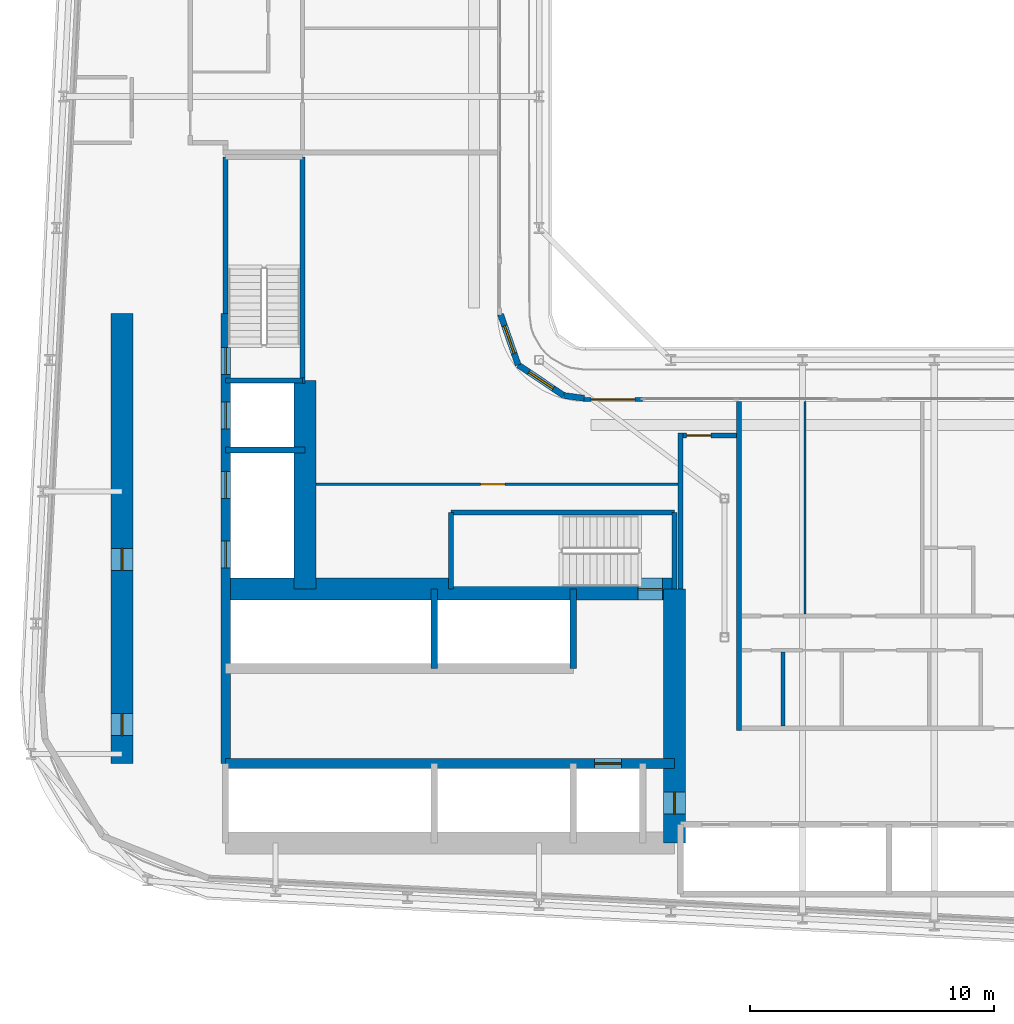
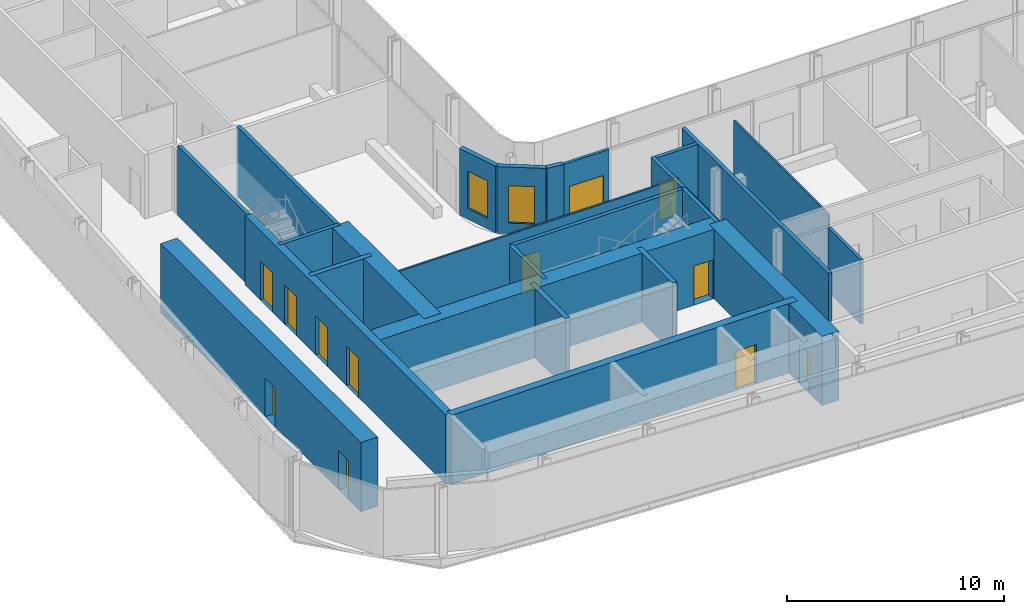
# One storey, part 12 of 26: 26 walls, 12 doors, 2 windows, 14 openings.
"""IFC4 building model written with IfcOpenShell, lengths in metres."""

from ifc_helpers import new_model, si_unit, direction, frame, frame_2d, origin, place, context, subcontext, project, spatial, rectangle, extrude, source, transform, mapped, material, layer, layer_set, type_object, element, fill, save


model = new_model("IFC4")

# Units and contexts
model_context = context("Model", 3, precision=1e-05, world=origin(), true_north=direction((0.0, 1.0)))
body_context = subcontext(model_context, "Body", "Model", "MODEL_VIEW")
ifc_project = project(units=[si_unit("LENGTHUNIT", "METRE"), si_unit("AREAUNIT", "SQUARE_METRE"), si_unit("VOLUMEUNIT", "CUBIC_METRE"), si_unit("PLANEANGLEUNIT", "RADIAN"), si_unit("MASSUNIT", "GRAM", prefix="KILO")], contexts=[model_context])

# Site, building, storey
site_placement = place(None, origin())
site = spatial("IfcSite", under=ifc_project, at=site_placement, CompositionType="ELEMENT")
building_placement = place(site_placement, origin())
building = spatial("IfcBuilding", under=site, at=building_placement, Name="Kheshtan School and Residences Tower", CompositionType="ELEMENT")
storey_placement = place(building_placement, frame((0.0, 0.0, 105.800048828125)))
storey = spatial("IfcBuildingStorey", under=building, at=storey_placement, Name="L24", CompositionType="ELEMENT", Elevation=105.800048828125)

# Wall, opening, door
ifc_material_1 = material(Name="Concrete C50/60", Category="concrete")
ifc_layer_1 = layer(ifc_material_1, 0.39990234375)
ifc_layer_set_1 = layer_set([ifc_layer_1], Name="Core wall 400 Concrete C50/60")
wall_type_1 = type_object("IfcWallType", Name="Core wall 400 Concrete C50/60", PredefinedType="SHEAR", material=ifc_layer_set_1)
wall_1_placement = place(storey_placement, frame((34.75, 29.050048828125, 0.0), z_axis=(0.0, 0.0, 1.0), x_axis=(1.0, 0.0, 0.0)))
wall_1 = element("IfcWall", 1, at=wall_1_placement, inside=storey, type_object=wall_type_1, Name="Core wall CW-HALL-S1", PredefinedType="SHEAR", context=body_context, shape_type="SweptSolid", body=[
    extrude(rectangle(XDim=18.39990234375, YDim=0.39990234375, at=frame_2d((9.199951171875, 0.0))), origin(), (0.0, 0.0, 1.0), 3.89990234375),
])
opening_1_placement = place(wall_1_placement, frame((15.125, 0.0, 0.0)))
opening_1 = element("IfcOpeningElement", 2, at=opening_1_placement, cuts=wall_1, Name="Opening LD", PredefinedType="OPENING", context=body_context, shape_type="SweptSolid", body=[
    extrude(rectangle(XDim=1.10009765625, YDim=2.199951171875, at=frame_2d((0.550048828125, 1.10009765625))), frame((0.0, 0.2099609375, 0.0), z_axis=(0.0, -1.0, 0.0), x_axis=(1.0, 0.0, 0.0)), (0.0, 0.0, 1.0), 0.419921875),
])
ifc_material_2 = material(Name="Stainless steel door leaves", Category="steel")
door_type_1 = type_object("IfcDoorType", Name="Lift landing door 1100", OperationType="SLIDING_TO_LEFT", PredefinedType="DOOR", material=ifc_material_2)
shared_shape_1 = source(origin(), body_context, "Body", "SweptSolid", [
    extrude(rectangle(XDim=1.10009765625, YDim=2.199951171875, at=frame_2d((0.550048828125, 1.10009765625))), frame((0.0, 0.02490234375, 0.0), z_axis=(0.0, -1.0, 0.0), x_axis=(1.0, 0.0, 0.0)), (0.0, 0.0, 1.0), 0.050048828125),
])
door_1_placement = place(opening_1_placement, origin())
door_1 = element("IfcDoor", 3, at=door_1_placement, inside=storey, type_object=door_type_1, Name="Lift FFL2 landing door", OperationType="SLIDING_TO_LEFT", OverallHeight=2.199951171875, OverallWidth=1.10009765625, PredefinedType="DOOR", context=body_context, shape_type="MappedRepresentation", body=[
    mapped(shared_shape_1, transform((0.0, 0.0, 0.0), x_axis=(1.0, 0.0, 0.0), y_axis=(0.0, 1.0, 0.0), z_axis=(0.0, 0.0, 1.0), scale=1.0)),
])
fill(opening_1, door_1)

# Wall, openings, doors
wall_2_placement = place(storey_placement, frame((34.75, 29.050048828125, 0.0), z_axis=(0.0, 0.0, 1.0), x_axis=(0.0, 1.0, 0.0)))
wall_2 = element("IfcWall", 4, at=wall_2_placement, inside=storey, type_object=wall_type_1, Name="Core wall CW-HALL-W1", PredefinedType="SHEAR", context=body_context, shape_type="SweptSolid", body=[
    extrude(rectangle(XDim=18.449951171875, YDim=0.39990234375, at=frame_2d((9.22509765625, 0.0))), origin(), (0.0, 0.0, 1.0), 3.89990234375),
])
opening_2_placement = place(wall_2_placement, frame((8.02490234375, 0.0, 0.0)))
opening_2 = element("IfcOpeningElement", 5, at=opening_2_placement, cuts=wall_2, Name="Opening LD", PredefinedType="OPENING", context=body_context, shape_type="SweptSolid", body=[
    extrude(rectangle(XDim=1.10009765625, YDim=2.199951171875, at=frame_2d((0.550048828125, 1.10009765625))), frame((0.0, 0.2099609375, 0.0), z_axis=(0.0, -1.0, 0.0), x_axis=(1.0, 0.0, 0.0)), (0.0, 0.0, 1.0), 0.419921875),
])
opening_3_placement = place(wall_2_placement, frame((10.875, 0.0, 0.0)))
opening_3 = element("IfcOpeningElement", 6, at=opening_3_placement, cuts=wall_2, Name="Opening LD", PredefinedType="OPENING", context=body_context, shape_type="SweptSolid", body=[
    extrude(rectangle(XDim=1.10009765625, YDim=2.199951171875, at=frame_2d((0.550048828125, 1.10009765625))), frame((0.0, 0.2099609375, 0.0), z_axis=(0.0, -1.0, 0.0), x_axis=(1.0, 0.0, 0.0)), (0.0, 0.0, 1.0), 0.419921875),
])
opening_4_placement = place(wall_2_placement, frame((13.72509765625, 0.0, 0.0)))
opening_4 = element("IfcOpeningElement", 7, at=opening_4_placement, cuts=wall_2, Name="Opening LD", PredefinedType="OPENING", context=body_context, shape_type="SweptSolid", body=[
    extrude(rectangle(XDim=1.10009765625, YDim=2.199951171875, at=frame_2d((0.550048828125, 1.10009765625))), frame((0.0, 0.2099609375, 0.0), z_axis=(0.0, -1.0, 0.0), x_axis=(1.0, 0.0, 0.0)), (0.0, 0.0, 1.0), 0.419921875),
])
opening_5_placement = place(wall_2_placement, frame((15.949951171875, 0.0, 0.0)))
opening_5 = element("IfcOpeningElement", 8, at=opening_5_placement, cuts=wall_2, Name="Opening ST2D", PredefinedType="OPENING", context=body_context, shape_type="SweptSolid", body=[
    extrude(rectangle(XDim=1.10009765625, YDim=2.199951171875, at=frame_2d((0.550048828125, 1.10009765625))), frame((0.0, 0.2099609375, 0.0), z_axis=(0.0, -1.0, 0.0), x_axis=(1.0, 0.0, 0.0)), (0.0, 0.0, 1.0), 0.419921875),
])
door_2_placement = place(opening_2_placement, origin())
door_2 = element("IfcDoor", 9, at=door_2_placement, inside=storey, type_object=door_type_1, Name="Lift SV1 landing door", OperationType="SLIDING_TO_LEFT", OverallHeight=2.199951171875, OverallWidth=1.10009765625, PredefinedType="DOOR", context=body_context, shape_type="MappedRepresentation", body=[
    mapped(shared_shape_1, transform((0.0, 0.0, 0.0), x_axis=(1.0, 0.0, 0.0), y_axis=(0.0, 1.0, 0.0), z_axis=(0.0, 0.0, 1.0), scale=1.0)),
])
fill(opening_2, door_2)
door_3_placement = place(opening_3_placement, origin())
door_3 = element("IfcDoor", 10, at=door_3_placement, inside=storey, type_object=door_type_1, Name="Lift SV2 landing door", OperationType="SLIDING_TO_LEFT", OverallHeight=2.199951171875, OverallWidth=1.10009765625, PredefinedType="DOOR", context=body_context, shape_type="MappedRepresentation", body=[
    mapped(shared_shape_1, transform((0.0, 0.0, 0.0), x_axis=(1.0, 0.0, 0.0), y_axis=(0.0, 1.0, 0.0), z_axis=(0.0, 0.0, 1.0), scale=1.0)),
])
fill(opening_3, door_3)
door_4_placement = place(opening_4_placement, origin())
door_4 = element("IfcDoor", 11, at=door_4_placement, inside=storey, type_object=door_type_1, Name="Lift FFL1 landing door", OperationType="SLIDING_TO_LEFT", OverallHeight=2.199951171875, OverallWidth=1.10009765625, PredefinedType="DOOR", context=body_context, shape_type="MappedRepresentation", body=[
    mapped(shared_shape_1, transform((0.0, 0.0, 0.0), x_axis=(1.0, 0.0, 0.0), y_axis=(0.0, 1.0, 0.0), z_axis=(0.0, 0.0, 1.0), scale=1.0)),
])
fill(opening_4, door_4)
ifc_material_3 = material(Name="Steel door leaf, galvanised", Category="steel")
door_type_2 = type_object("IfcDoorType", Name="Stair door 1100 steel 90 min", OperationType="SINGLE_SWING_LEFT", PredefinedType="DOOR", material=ifc_material_3)
shared_shape_2 = source(origin(), body_context, "Body", "SweptSolid", [
    extrude(rectangle(XDim=1.10009765625, YDim=2.199951171875, at=frame_2d((0.550048828125, 1.10009765625))), frame((0.0, 0.02490234375, 0.0), z_axis=(0.0, -1.0, 0.0), x_axis=(1.0, 0.0, 0.0)), (0.0, 0.0, 1.0), 0.050048828125),
])
door_5_placement = place(opening_5_placement, origin())
door_5 = element("IfcDoor", 12, at=door_5_placement, inside=storey, type_object=door_type_2, Name="Stair ST2 door", OperationType="SINGLE_SWING_RIGHT", OverallHeight=2.199951171875, OverallWidth=1.10009765625, PredefinedType="DOOR", context=body_context, shape_type="MappedRepresentation", body=[
    mapped(shared_shape_2, transform((0.0, 0.0, 0.0), x_axis=(1.0, 0.0, 0.0), y_axis=(0.0, 1.0, 0.0), z_axis=(0.0, 0.0, 1.0), scale=1.0)),
])
fill(opening_5, door_5)

# Wall, opening, door
ifc_material_4 = material(Name="Concrete C80/95", Category="concrete")
ifc_layer_2 = layer(ifc_material_4, 0.89990234375)
ifc_layer_set_2 = layer_set([ifc_layer_2], Name="Core wall 900 Concrete C80/95")
wall_type_2 = type_object("IfcWallType", Name="Core wall 900 Concrete C80/95", PredefinedType="SHEAR", material=ifc_layer_set_2)
wall_3_placement = place(storey_placement, frame((34.75, 36.199951171875, 0.0), z_axis=(0.0, 0.0, 1.0), x_axis=(1.0, 0.0, 0.0)))
wall_3 = element("IfcWall", 13, at=wall_3_placement, inside=storey, type_object=wall_type_2, Name="Core wall CW-FRONT-S", PredefinedType="SHEAR", context=body_context, shape_type="SweptSolid", body=[
    extrude(rectangle(XDim=18.39990234375, YDim=0.89990234375, at=frame_2d((9.199951171875, 0.0))), origin(), (0.0, 0.0, 1.0), 3.89990234375),
])
opening_6_placement = place(wall_3_placement, frame((16.89990234375, 0.0, 0.0)))
opening_6 = element("IfcOpeningElement", 14, at=opening_6_placement, cuts=wall_3, Name="Opening ST1D", PredefinedType="OPENING", context=body_context, shape_type="SweptSolid", body=[
    extrude(rectangle(XDim=1.0, YDim=2.199951171875, at=frame_2d((0.5, 1.10009765625))), frame((0.0, 0.4599609375, 0.0), z_axis=(0.0, -1.0, 0.0), x_axis=(1.0, 0.0, 0.0)), (0.0, 0.0, 1.0), 0.919921875),
])
shared_shape_3 = source(origin(), body_context, "Body", "SweptSolid", [
    extrude(rectangle(XDim=1.0, YDim=2.199951171875, at=frame_2d((0.5, 1.10009765625))), frame((0.0, 0.02490234375, 0.0), z_axis=(0.0, -1.0, 0.0), x_axis=(1.0, 0.0, 0.0)), (0.0, 0.0, 1.0), 0.050048828125),
])
door_6_placement = place(opening_6_placement, origin())
door_6 = element("IfcDoor", 15, at=door_6_placement, inside=storey, type_object=door_type_2, Name="Stair ST1 door", OperationType="SINGLE_SWING_RIGHT", OverallHeight=2.199951171875, OverallWidth=1.0, PredefinedType="DOOR", context=body_context, shape_type="MappedRepresentation", body=[
    mapped(shared_shape_3, transform((0.0, 0.0, 0.0), x_axis=(1.0, 0.0, 0.0), y_axis=(0.0, 1.0, 0.0), z_axis=(0.0, 0.0, 1.0), scale=1.0)),
])
fill(opening_6, door_6)

# Wall
wall_4_placement = place(storey_placement, frame((38.0, 36.199951171875, 0.0), z_axis=(0.0, 0.0, 1.0), x_axis=(0.0, 1.0, 0.0)))
element("IfcWall", 16, at=wall_4_placement, inside=storey, type_object=wall_type_2, Name="Core wall CW-FRONT-W", PredefinedType="SHEAR", context=body_context, shape_type="SweptSolid", body=[
    extrude(rectangle(XDim=8.550048828125, YDim=0.89990234375, at=frame_2d((4.27490234375, 0.0))), origin(), (0.0, 0.0, 1.0), 3.89990234375),
])

# Wall, openings, doors
wall_5_placement = place(storey_placement, frame((30.5, 29.050048828125, 0.0), z_axis=(0.0, 0.0, 1.0), x_axis=(0.0, 1.0, 0.0)))
wall_5 = element("IfcWall", 17, at=wall_5_placement, inside=storey, type_object=wall_type_2, Name="Core wall CW-REAR-W", PredefinedType="SHEAR", context=body_context, shape_type="SweptSolid", body=[
    extrude(rectangle(XDim=18.449951171875, YDim=0.89990234375, at=frame_2d((9.22509765625, 0.0))), origin(), (0.0, 0.0, 1.0), 3.89990234375),
])
opening_7_placement = place(wall_5_placement, frame((1.14697265625, 0.0, 0.0)))
opening_7 = element("IfcOpeningElement", 18, at=opening_7_placement, cuts=wall_5, Name="Opening SR90", PredefinedType="OPENING", context=body_context, shape_type="SweptSolid", body=[
    extrude(rectangle(XDim=0.89990234375, YDim=2.199951171875, at=frame_2d((0.449951171875, 1.10009765625))), frame((0.0, 0.4599609375, 0.0), z_axis=(0.0, -1.0, 0.0), x_axis=(1.0, 0.0, 0.0)), (0.0, 0.0, 1.0), 0.919921875),
])
opening_8_placement = place(wall_5_placement, frame((7.925048828125, 0.0, 0.0)))
opening_8 = element("IfcOpeningElement", 19, at=opening_8_placement, cuts=wall_5, Name="Opening SR90", PredefinedType="OPENING", context=body_context, shape_type="SweptSolid", body=[
    extrude(rectangle(XDim=0.89990234375, YDim=2.199951171875, at=frame_2d((0.449951171875, 1.10009765625))), frame((0.0, 0.4599609375, 0.0), z_axis=(0.0, -1.0, 0.0), x_axis=(1.0, 0.0, 0.0)), (0.0, 0.0, 1.0), 0.919921875),
])
door_type_3 = type_object("IfcDoorType", Name="Service room door 900 steel 90 min", OperationType="SINGLE_SWING_LEFT", PredefinedType="DOOR", material=ifc_material_3)
shared_shape_4 = source(origin(), body_context, "Body", "SweptSolid", [
    extrude(rectangle(XDim=0.89990234375, YDim=2.199951171875, at=frame_2d((0.449951171875, 1.10009765625))), frame((0.0, 0.02490234375, 0.0), z_axis=(0.0, -1.0, 0.0), x_axis=(1.0, 0.0, 0.0)), (0.0, 0.0, 1.0), 0.050048828125),
])
door_7_placement = place(opening_7_placement, origin())
door_7 = element("IfcDoor", 20, at=door_7_placement, inside=storey, type_object=door_type_3, Name="Service room door", OperationType="SINGLE_SWING_LEFT", OverallHeight=2.199951171875, OverallWidth=0.89990234375, PredefinedType="DOOR", context=body_context, shape_type="MappedRepresentation", body=[
    mapped(shared_shape_4, transform((0.0, 0.0, 0.0), x_axis=(1.0, 0.0, 0.0), y_axis=(0.0, 1.0, 0.0), z_axis=(0.0, 0.0, 1.0), scale=1.0)),
])
fill(opening_7, door_7)
door_8_placement = place(opening_8_placement, origin())
door_8 = element("IfcDoor", 21, at=door_8_placement, inside=storey, type_object=door_type_3, Name="Service room door", OperationType="SINGLE_SWING_LEFT", OverallHeight=2.199951171875, OverallWidth=0.89990234375, PredefinedType="DOOR", context=body_context, shape_type="MappedRepresentation", body=[
    mapped(shared_shape_4, transform((0.0, 0.0, 0.0), x_axis=(1.0, 0.0, 0.0), y_axis=(0.0, 1.0, 0.0), z_axis=(0.0, 0.0, 1.0), scale=1.0)),
])
fill(opening_8, door_8)

# Wall, opening, door
wall_6_placement = place(storey_placement, frame((53.14990234375, 25.800048828125, 0.0), z_axis=(0.0, 0.0, 1.0), x_axis=(0.0, 1.0, 0.0)))
wall_6 = element("IfcWall", 22, at=wall_6_placement, inside=storey, type_object=wall_type_2, Name="Core wall CW-EAST", PredefinedType="SHEAR", context=body_context, shape_type="SweptSolid", body=[
    extrude(rectangle(XDim=10.39990234375, YDim=0.89990234375, at=frame_2d((5.199951171875, 0.0))), origin(), (0.0, 0.0, 1.0), 3.89990234375),
])
opening_9_placement = place(wall_6_placement, frame((1.175048828125, 0.0, 0.0)))
opening_9 = element("IfcOpeningElement", 23, at=opening_9_placement, cuts=wall_6, Name="Opening SR90", PredefinedType="OPENING", context=body_context, shape_type="SweptSolid", body=[
    extrude(rectangle(XDim=0.89990234375, YDim=2.199951171875, at=frame_2d((0.449951171875, 1.10009765625))), frame((0.0, 0.4599609375, 0.0), z_axis=(0.0, -1.0, 0.0), x_axis=(1.0, 0.0, 0.0)), (0.0, 0.0, 1.0), 0.919921875),
])
door_9_placement = place(opening_9_placement, origin())
door_9 = element("IfcDoor", 24, at=door_9_placement, inside=storey, type_object=door_type_3, Name="Service room door", OperationType="SINGLE_SWING_RIGHT", OverallHeight=2.199951171875, OverallWidth=0.89990234375, PredefinedType="DOOR", context=body_context, shape_type="MappedRepresentation", body=[
    mapped(shared_shape_4, transform((0.0, 0.0, 0.0), x_axis=(1.0, 0.0, 0.0), y_axis=(0.0, 1.0, 0.0), z_axis=(0.0, 0.0, 1.0), scale=1.0)),
])
fill(opening_9, door_9)

# Wall
ifc_material_5 = material(Name="Gypsum board on steel studs with fire boards", Category="steel")
ifc_layer_3 = layer(ifc_material_5, 0.199951171875)
ifc_layer_set_3 = layer_set([ifc_layer_3], Name="Corridor wall 200")
wall_type_3 = type_object("IfcWallType", Name="Corridor wall 200", PredefinedType="PARTITIONING", material=ifc_layer_set_3)
wall_7_placement = place(storey_placement, frame((53.39990234375, 36.198974609375, 0.0), z_axis=(0.0, 0.0, 1.0), x_axis=(0.0, 1.0, 0.0)))
element("IfcWall", 25, at=wall_7_placement, inside=storey, type_object=wall_type_3, Name="Partition L24-027", PredefinedType="PARTITIONING", context=body_context, shape_type="SweptSolid", body=[
    extrude(rectangle(XDim=6.401123046875, YDim=0.199951171875, at=frame_2d((3.20068359375, 0.0))), origin(), (0.0, 0.0, 1.0), 3.599853515625),
])

# Wall, opening, door
wall_8_placement = place(storey_placement, frame((53.5, 42.5, 0.0), z_axis=(0.0, 0.0, 1.0), x_axis=(1.0, 0.0, 0.0)))
wall_8 = element("IfcWall", 26, at=wall_8_placement, inside=storey, type_object=wall_type_3, Name="Partition L24-028", PredefinedType="PARTITIONING", context=body_context, shape_type="SweptSolid", body=[
    extrude(rectangle(XDim=2.199951171875, YDim=0.199951171875, at=frame_2d((1.10009765625, 0.0))), origin(), (0.0, 0.0, 1.0), 3.599853515625),
])
opening_10_placement = place(wall_8_placement, frame((0.14990234375, 0.0, 0.0)))
opening_10 = element("IfcOpeningElement", 27, at=opening_10_placement, cuts=wall_8, Name="Opening D23-502", PredefinedType="OPENING", context=body_context, shape_type="SweptSolid", body=[
    extrude(rectangle(XDim=1.0, YDim=2.10009765625, at=frame_2d((0.5, 1.050048828125))), frame((0.0, 0.10986328125, 0.0), z_axis=(0.0, -1.0, 0.0), x_axis=(1.0, 0.0, 0.0)), (0.0, 0.0, 1.0), 0.219970703125),
])
ifc_material_6 = material(Name="Steel-framed fire-resisting door leaf", Category="steel")
door_type_4 = type_object("IfcDoorType", Name="Fire door FD60 1000 x 2100", OperationType="SINGLE_SWING_LEFT", PredefinedType="DOOR", material=ifc_material_6)
shared_shape_5 = source(origin(), body_context, "Body", "SweptSolid", [
    extrude(rectangle(XDim=1.0, YDim=2.10009765625, at=frame_2d((0.5, 1.050048828125))), frame((0.0, 0.02490234375, 0.0), z_axis=(0.0, -1.0, 0.0), x_axis=(1.0, 0.0, 0.0)), (0.0, 0.0, 1.0), 0.050048828125),
])
door_10_placement = place(opening_10_placement, origin())
door_10 = element("IfcDoor", 28, at=door_10_placement, inside=storey, type_object=door_type_4, Name="Door D23-502", OperationType="SINGLE_SWING_RIGHT", OverallHeight=2.10009765625, OverallWidth=1.0, PredefinedType="DOOR", context=body_context, shape_type="MappedRepresentation", body=[
    mapped(shared_shape_5, transform((0.0, 0.0, 0.0), x_axis=(1.0, 0.0, 0.0), y_axis=(0.0, 1.0, 0.0), z_axis=(0.0, 0.0, 1.0), scale=1.0)),
])
fill(opening_10, door_10)

# Wall, opening, window
ifc_material_7 = material(Name="Concrete C40/50 with ceramic cladding and mineral wool insulation", Category="concrete")
ifc_layer_4 = layer(ifc_material_7, 0.25)
ifc_layer_set_4 = layer_set([ifc_layer_4], Name="External wall 250 ceramic clad")
wall_type_4 = type_object("IfcWallType", Name="External wall 250 ceramic clad", PredefinedType="SOLIDWALL", material=ifc_layer_set_4)
wall_9_placement = place(storey_placement, frame((46.01806640625, 47.470947265625, 0.0), z_axis=(0.0, 0.0, 1.0), x_axis=(0.328791208903, -0.944402637093, 0.0)))
wall_9 = element("IfcWall", 29, at=wall_9_placement, inside=storey, type_object=wall_type_4, Name="External wall L24 5", PredefinedType="SOLIDWALL", context=body_context, shape_type="SweptSolid", body=[
    extrude(rectangle(XDim=2.20458984375, YDim=0.25, at=frame_2d((1.102294921875, 0.0))), origin(), (0.0, 0.0, 1.0), 3.75),
])
opening_11_placement = place(wall_9_placement, frame((0.5029296875, 0.0, 0.60009765625)))
opening_11 = element("IfcOpeningElement", 30, at=opening_11_placement, cuts=wall_9, Name="Opening WN-E", PredefinedType="OPENING", context=body_context, shape_type="SweptSolid", body=[
    extrude(rectangle(XDim=1.199951171875, YDim=2.10009765625, at=frame_2d((0.60009765625, 1.050048828125))), frame((0.0, 0.135009765625, 0.0), z_axis=(0.0, -1.0, 0.0), x_axis=(1.0, 0.0, 0.0)), (0.0, 0.0, 1.0), 0.27001953125),
])
ifc_material_8 = material(Name="Clear low-e glass in thermally broken aluminium frame", Category="aluminium")
window_type = type_object("IfcWindowType", Name="Window WN-E", PartitioningType="SINGLE_PANEL", PredefinedType="WINDOW", material=ifc_material_8)
shared_shape_6 = source(origin(), body_context, "Body", "SweptSolid", [
    extrude(rectangle(XDim=1.199951171875, YDim=2.10009765625, at=frame_2d((0.60009765625, 1.050048828125))), frame((0.0, 0.030029296875, 0.0), z_axis=(0.0, -1.0, 0.0), x_axis=(1.0, 0.0, 0.0)), (0.0, 0.0, 1.0), 0.06005859375),
])
window_1_placement = place(opening_11_placement, origin())
window_1 = element("IfcWindow", 31, at=window_1_placement, inside=storey, type_object=window_type, Name="Window L24 5", OverallHeight=2.10009765625, OverallWidth=1.199951171875, PartitioningType="SINGLE_PANEL", PredefinedType="WINDOW", context=body_context, shape_type="MappedRepresentation", body=[
    mapped(shared_shape_6, transform((0.0, 0.0, 0.0), x_axis=(1.0, 0.0, 0.0), y_axis=(0.0, 1.0, 0.0), z_axis=(0.0, 0.0, 1.0), scale=1.0)),
])
fill(opening_11, window_1)

wall_10_placement = place(storey_placement, frame((46.742919921875, 45.388916015625, 0.0), z_axis=(0.0, 0.0, 1.0), x_axis=(0.831449265529, -0.555600682912, 0.0)))
wall_10 = element("IfcWall", 32, at=wall_10_placement, inside=storey, type_object=wall_type_4, Name="External wall L24 6", PredefinedType="SOLIDWALL", context=body_context, shape_type="SweptSolid", body=[
    extrude(rectangle(XDim=2.25146484375, YDim=0.25, at=frame_2d((1.125732421875, 0.0))), origin(), (0.0, 0.0, 1.0), 3.75),
])
opening_12_placement = place(wall_10_placement, frame((0.52490234375, 0.0, 0.60009765625)))
opening_12 = element("IfcOpeningElement", 33, at=opening_12_placement, cuts=wall_10, Name="Opening WN-E", PredefinedType="OPENING", context=body_context, shape_type="SweptSolid", body=[
    extrude(rectangle(XDim=1.199951171875, YDim=2.10009765625, at=frame_2d((0.60009765625, 1.050048828125))), frame((0.0, 0.135009765625, 0.0), z_axis=(0.0, -1.0, 0.0), x_axis=(1.0, 0.0, 0.0)), (0.0, 0.0, 1.0), 0.27001953125),
])
window_2_placement = place(opening_12_placement, origin())
window_2 = element("IfcWindow", 34, at=window_2_placement, inside=storey, type_object=window_type, Name="Window L24 6", OverallHeight=2.10009765625, OverallWidth=1.199951171875, PartitioningType="SINGLE_PANEL", PredefinedType="WINDOW", context=body_context, shape_type="MappedRepresentation", body=[
    mapped(shared_shape_6, transform((0.0, 0.0, 0.0), x_axis=(1.0, 0.0, 0.0), y_axis=(0.0, 1.0, 0.0), z_axis=(0.0, 0.0, 1.0), scale=1.0)),
])
fill(opening_12, window_2)

# Wall
wall_11_placement = place(storey_placement, frame((48.614990234375, 44.137939453125, 0.0), z_axis=(0.0, 0.0, 1.0), x_axis=(0.990741504246, -0.135761819977, 0.0)))
element("IfcWall", 35, at=wall_11_placement, inside=storey, type_object=wall_type_4, Name="External wall L24 7", PredefinedType="SOLIDWALL", context=body_context, shape_type="SweptSolid", body=[
    extrude(rectangle(XDim=0.83984375, YDim=0.25, at=frame_2d((0.419921875, 0.0))), origin(), (0.0, 0.0, 1.0), 3.75),
])

# Wall, opening, door
ifc_material_9 = material(Name="Aluminium frame wall with insulated infill", Category="aluminium")
ifc_layer_5 = layer(ifc_material_9, 0.14990234375)
ifc_layer_set_5 = layer_set([ifc_layer_5], Name="Glazing frame wall 150")
wall_type_5 = type_object("IfcWallType", Name="Glazing frame wall 150", PredefinedType="SOLIDWALL", material=ifc_layer_set_5)
wall_12_placement = place(storey_placement, frame((49.429931640625, 43.97509765625, 0.0), z_axis=(0.0, 0.0, 1.0), x_axis=(1.0, 0.0, 0.0)))
wall_12 = element("IfcWall", 36, at=wall_12_placement, inside=storey, type_object=wall_type_5, Name="Balcony door wall L24 8.1", PredefinedType="SOLIDWALL", context=body_context, shape_type="SweptSolid", body=[
    extrude(rectangle(XDim=2.400146484375, YDim=0.14990234375, at=frame_2d((1.2001953125, 0.0))), origin(), (0.0, 0.0, 1.0), 3.75),
])
opening_13_placement = place(wall_12_placement, frame((0.300048828125, 0.0, 0.0)))
opening_13 = element("IfcOpeningElement", 37, at=opening_13_placement, cuts=wall_12, Name="Opening BD", PredefinedType="OPENING", context=body_context, shape_type="SweptSolid", body=[
    extrude(rectangle(XDim=1.800048828125, YDim=2.39990234375, at=frame_2d((0.89990234375, 1.199951171875))), frame((0.0, 0.0849609375, 0.0), z_axis=(0.0, -1.0, 0.0), x_axis=(1.0, 0.0, 0.0)), (0.0, 0.0, 1.0), 0.169921875),
])
door_type_5 = type_object("IfcDoorType", Name="Balcony sliding door", OperationType="SLIDING_TO_LEFT", PredefinedType="DOOR", material=ifc_material_8)
shared_shape_7 = source(origin(), body_context, "Body", "SweptSolid", [
    extrude(rectangle(XDim=1.800048828125, YDim=2.39990234375, at=frame_2d((0.89990234375, 1.199951171875))), frame((0.0, 0.02490234375, 0.0), z_axis=(0.0, -1.0, 0.0), x_axis=(1.0, 0.0, 0.0)), (0.0, 0.0, 1.0), 0.050048828125),
])
door_11_placement = place(opening_13_placement, origin())
door_11 = element("IfcDoor", 38, at=door_11_placement, inside=storey, type_object=door_type_5, Name="Balcony door L24 8.1", OperationType="SLIDING_TO_LEFT", OverallHeight=2.39990234375, OverallWidth=1.800048828125, PredefinedType="DOOR", context=body_context, shape_type="MappedRepresentation", body=[
    mapped(shared_shape_7, transform((0.0, 0.0, 0.0), x_axis=(1.0, 0.0, 0.0), y_axis=(0.0, 1.0, 0.0), z_axis=(0.0, 0.0, 1.0), scale=1.0)),
])
fill(opening_13, door_11)

ifc_material_10 = material(Name="Gypsum board on steel studs", Category="steel")
ifc_layer_6 = layer(ifc_material_10, 0.10009765625)
ifc_layer_set_6 = layer_set([ifc_layer_6], Name="Gypsum partition 100")
wall_type_6 = type_object("IfcWallType", Name="Gypsum partition 100", PredefinedType="PARTITIONING", material=ifc_layer_set_6)
wall_13_placement = place(storey_placement, frame((38.448974609375, 40.5, 0.0), z_axis=(0.0, 0.0, 1.0), x_axis=(1.0, 0.0, 0.0)))
wall_13 = element("IfcWall", 39, at=wall_13_placement, inside=storey, type_object=wall_type_6, Name="Partition L24-025", PredefinedType="PARTITIONING", context=body_context, shape_type="SweptSolid", body=[
    extrude(rectangle(XDim=14.85107421875, YDim=0.10009765625, at=frame_2d((7.425537109375, 0.0))), origin(), (0.0, 0.0, 1.0), 3.599853515625),
])
opening_14_placement = place(wall_13_placement, frame((6.7509765625, 0.0, 0.0)))
opening_14 = element("IfcOpeningElement", 40, at=opening_14_placement, cuts=wall_13, Name="Opening D23-501", PredefinedType="OPENING", context=body_context, shape_type="SweptSolid", body=[
    extrude(rectangle(XDim=1.0, YDim=2.10009765625, at=frame_2d((0.5, 1.050048828125))), frame((0.0, 0.06005859375, 0.0), z_axis=(0.0, -1.0, 0.0), x_axis=(1.0, 0.0, 0.0)), (0.0, 0.0, 1.0), 0.1201171875),
])
ifc_material_11 = material(Name="Veneered timber door leaf", Category="wood")
door_type_6 = type_object("IfcDoorType", Name="Door 1000 x 2100", OperationType="SINGLE_SWING_LEFT", PredefinedType="DOOR", material=ifc_material_11)
shared_shape_8 = source(origin(), body_context, "Body", "SweptSolid", [
    extrude(rectangle(XDim=1.0, YDim=2.10009765625, at=frame_2d((0.5, 1.050048828125))), frame((0.0, 0.02490234375, 0.0), z_axis=(0.0, -1.0, 0.0), x_axis=(1.0, 0.0, 0.0)), (0.0, 0.0, 1.0), 0.050048828125),
])
door_12_placement = place(opening_14_placement, origin())
door_12 = element("IfcDoor", 41, at=door_12_placement, inside=storey, type_object=door_type_6, Name="Door D23-501", OperationType="SINGLE_SWING_LEFT", OverallHeight=2.10009765625, OverallWidth=1.0, PredefinedType="DOOR", context=body_context, shape_type="MappedRepresentation", body=[
    mapped(shared_shape_8, transform((0.0, 0.0, 0.0), x_axis=(1.0, 0.0, 0.0), y_axis=(0.0, 1.0, 0.0), z_axis=(0.0, 0.0, 1.0), scale=1.0)),
])
fill(opening_14, door_12)

# Walls
wall_14_placement = place(storey_placement, frame((58.5, 35.175048828125, 0.0), z_axis=(0.0, 0.0, 1.0), x_axis=(0.0, 1.0, 0.0)))
element("IfcWall", 42, at=wall_14_placement, inside=storey, type_object=wall_type_6, Name="Partition L24-034", PredefinedType="PARTITIONING", context=body_context, shape_type="SweptSolid", body=[
    extrude(rectangle(XDim=8.724853515625, YDim=0.10009765625, at=frame_2d((4.3623046875, 0.0))), origin(), (0.0, 0.0, 1.0), 3.072021484375),
])
ifc_material_12 = material(Name="Fire-board shaft wall system")
ifc_layer_7 = layer(ifc_material_12, 0.25)
ifc_layer_set_7 = layer_set([ifc_layer_7], Name="Shaft lining wall 250")
wall_type_7 = type_object("IfcWallType", Name="Shaft lining wall 250", PredefinedType="PARTITIONING", material=ifc_layer_set_7)
for number, where, z_axis, x_axis, name in (
    (43, (43.300048828125, 32.949951171875, 0.0), (0.0, 0.0, 1.0), (0.0, 1.0, 0.0), "Shaft lining wall"),
    (44, (49.0, 32.949951171875, 0.0), (0.0, 0.0, 1.0), (0.0, 1.0, 0.0), "Shaft lining wall"),
    (45, (34.75, 41.89990234375, 0.0), (0.0, 0.0, 1.0), (1.0, 0.0, 0.0), "Shaft lining wall"),
):
    element("IfcWall", number, at=place(storey_placement, frame(where, z_axis=z_axis, x_axis=x_axis)), inside=storey, type_object=wall_type_7, Name=name, PredefinedType="PARTITIONING", context=body_context, shape_type="SweptSolid", body=[
        extrude(rectangle(XDim=3.25, YDim=0.25, at=frame_2d((1.625, 0.0))), origin(), (0.0, 0.0, 1.0), 3.89990234375),
    ])
wall_15_placement = place(storey_placement, frame((37.89990234375, 44.75, 0.0), z_axis=(0.0, 0.0, 1.0), x_axis=(1.0, 0.0, 0.0)))
element("IfcWall", 46, at=wall_15_placement, inside=storey, type_object=wall_type_7, Name="Shaft lining wall", PredefinedType="PARTITIONING", context=body_context, shape_type="SweptSolid", body=[
    extrude(rectangle(XDim=0.10009765625, YDim=0.25, at=frame_2d((0.050048828125, 0.0))), origin(), (0.0, 0.0, 1.0), 3.89990234375),
])
ifc_material_13 = material(Name="Concrete C40/50", Category="concrete")
ifc_layer_8 = layer(ifc_material_13, 0.199951171875)
ifc_layer_set_8 = layer_set([ifc_layer_8], Name="Stair enclosure wall 200 Concrete C40/50")
wall_type_8 = type_object("IfcWallType", Name="Stair enclosure wall 200 Concrete C40/50", PredefinedType="SHEAR", material=ifc_layer_set_8)
wall_16_placement = place(storey_placement, frame((43.989990234375, 39.35009765625, 0.0), z_axis=(0.0, 0.0, 1.0), x_axis=(1.0, 0.0, 0.0)))
element("IfcWall", 47, at=wall_16_placement, inside=storey, type_object=wall_type_8, Name="Stair enclosure wall ST1", PredefinedType="SHEAR", context=body_context, shape_type="SweptSolid", body=[
    extrude(rectangle(XDim=9.159912109375, YDim=0.199951171875, at=frame_2d((4.580078125, 0.0))), origin(), (0.0, 0.0, 1.0), 3.89990234375),
])
for number, where, z_axis, x_axis, name in (
    (48, (43.989990234375, 36.199951171875, 0.0), (0.0, 0.0, 1.0), (0.0, 1.0, 0.0), "Stair enclosure wall ST1"),
    (49, (53.14990234375, 36.199951171875, 0.0), (0.0, 0.0, 1.0), (0.0, 1.0, 0.0), "Stair enclosure wall ST1"),
):
    element("IfcWall", number, at=place(storey_placement, frame(where, z_axis=z_axis, x_axis=x_axis)), inside=storey, type_object=wall_type_8, Name=name, PredefinedType="SHEAR", context=body_context, shape_type="SweptSolid", body=[
        extrude(rectangle(XDim=3.150146484375, YDim=0.199951171875, at=frame_2d((1.5751953125, 0.0))), origin(), (0.0, 0.0, 1.0), 3.89990234375),
    ])
wall_17_placement = place(storey_placement, frame((34.75, 44.75, 0.0), z_axis=(0.0, 0.0, 1.0), x_axis=(1.0, 0.0, 0.0)))
element("IfcWall", 50, at=wall_17_placement, inside=storey, type_object=wall_type_8, Name="Stair enclosure wall ST2", PredefinedType="SHEAR", context=body_context, shape_type="SweptSolid", body=[
    extrude(rectangle(XDim=3.14990234375, YDim=0.199951171875, at=frame_2d((1.574951171875, 0.0))), origin(), (0.0, 0.0, 1.0), 3.89990234375),
])
wall_18_placement = place(storey_placement, frame((34.75, 47.5, 0.0), z_axis=(0.0, 0.0, 1.0), x_axis=(0.0, 1.0, 0.0)))
element("IfcWall", 51, at=wall_18_placement, inside=storey, type_object=wall_type_8, Name="Stair enclosure wall ST2", PredefinedType="SHEAR", context=body_context, shape_type="SweptSolid", body=[
    extrude(rectangle(XDim=6.409912109375, YDim=0.199951171875, at=frame_2d((3.205078125, 0.0))), origin(), (0.0, 0.0, 1.0), 3.89990234375),
])
wall_19_placement = place(storey_placement, frame((37.89990234375, 44.75, 0.0), z_axis=(0.0, 0.0, 1.0), x_axis=(0.0, 1.0, 0.0)))
element("IfcWall", 52, at=wall_19_placement, inside=storey, type_object=wall_type_8, Name="Stair enclosure wall ST2", PredefinedType="SHEAR", context=body_context, shape_type="SweptSolid", body=[
    extrude(rectangle(XDim=9.159912109375, YDim=0.199951171875, at=frame_2d((4.580078125, 0.0))), origin(), (0.0, 0.0, 1.0), 3.89990234375),
])
ifc_material_14 = material(Name="Twin gypsum board on steel studs with mineral wool", Category="steel")
ifc_layer_9 = layer(ifc_material_14, 0.199951171875)
ifc_layer_set_9 = layer_set([ifc_layer_9], Name="Unit demising wall 200")
wall_type_9 = type_object("IfcWallType", Name="Unit demising wall 200", PredefinedType="PARTITIONING", material=ifc_layer_set_9)
wall_20_placement = place(storey_placement, frame((55.800048828125, 30.39990234375, 0.0), z_axis=(0.0, 0.0, 1.0), x_axis=(0.0, 1.0, 0.0)))
element("IfcWall", 53, at=wall_20_placement, inside=storey, type_object=wall_type_9, Name="Partition L24-029", PredefinedType="PARTITIONING", context=body_context, shape_type="SweptSolid", body=[
    extrude(rectangle(XDim=13.5, YDim=0.199951171875, at=frame_2d((6.75, 0.0))), origin(), (0.0, 0.0, 1.0), 3.599853515625),
])
ifc_material_15 = material(Name="Moisture-resistant gypsum board on steel studs", Category="steel")
ifc_layer_10 = layer(ifc_material_15, 0.14990234375)
ifc_layer_set_10 = layer_set([ifc_layer_10], Name="Wet-room partition 150")
wall_type_10 = type_object("IfcWallType", Name="Wet-room partition 150", PredefinedType="PARTITIONING", material=ifc_layer_set_10)
wall_21_placement = place(storey_placement, frame((57.60009765625, 30.60009765625, 0.0), z_axis=(0.0, 0.0, 1.0), x_axis=(0.0, 1.0, 0.0)))
element("IfcWall", 54, at=wall_21_placement, inside=storey, type_object=wall_type_10, Name="Partition L24-033", PredefinedType="PARTITIONING", context=body_context, shape_type="SweptSolid", body=[
    extrude(rectangle(XDim=3.02490234375, YDim=0.14990234375, at=frame_2d((1.512451171875, 0.0))), origin(), (0.0, 0.0, 1.0), 3.599853515625),
])

save(model, "model.ifc")
